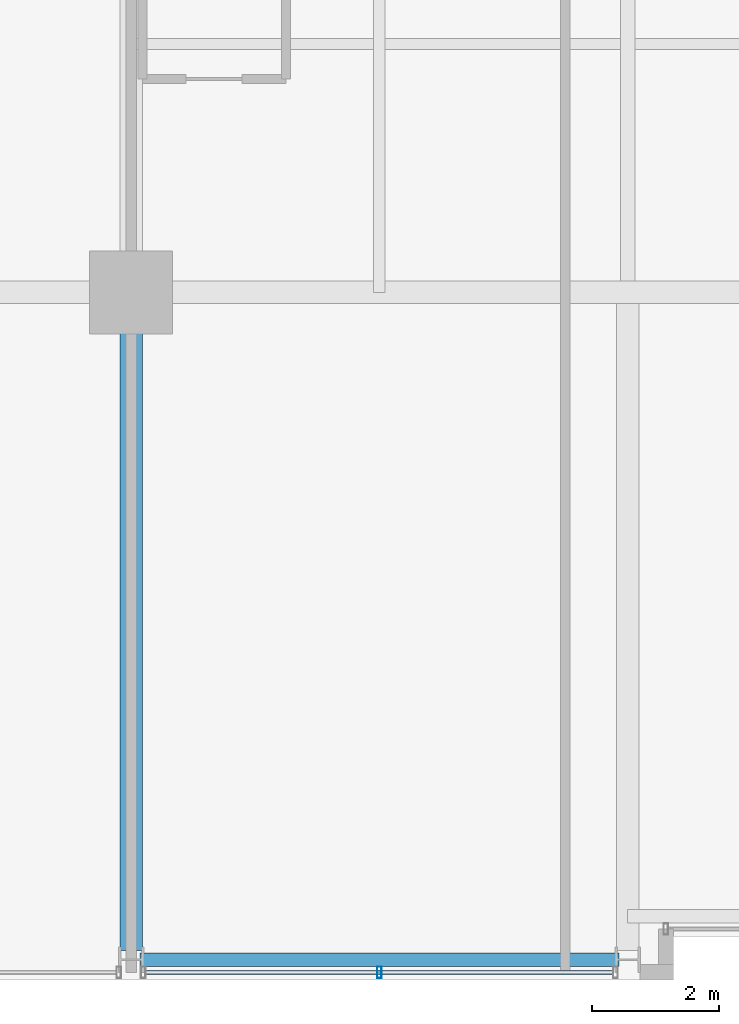
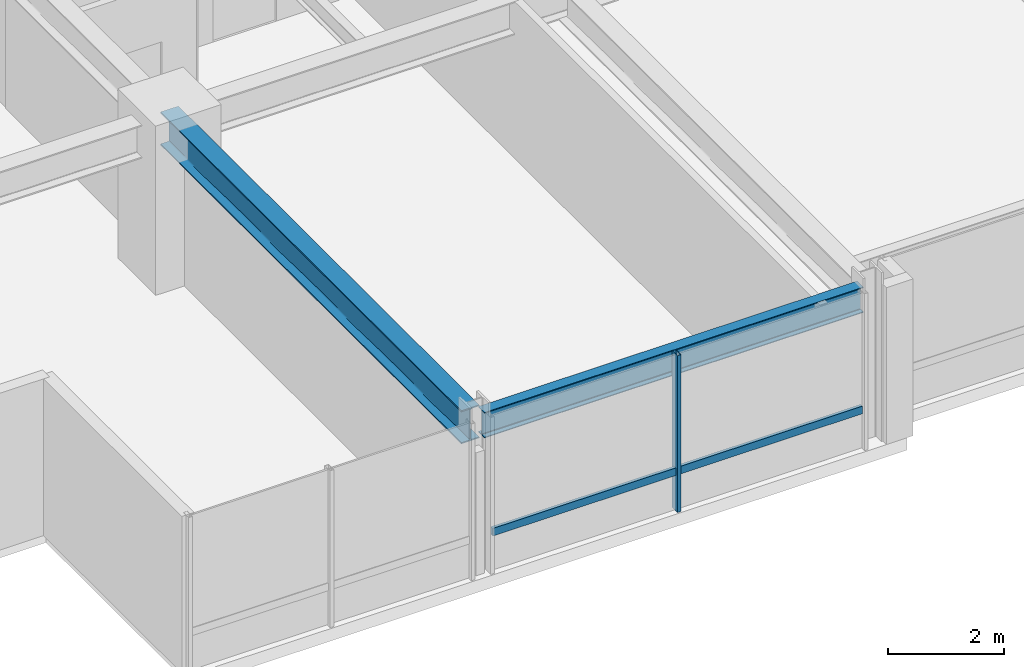
# One storey, part 3 of 31: 2 beams, 2 members, 1 element without a shape of its own.
"""IFC4 building model written with IfcOpenShell, lengths in metres."""

from ifc_helpers import new_model, si_unit, direction, frame, origin, origin_2d, place, context, subcontext, project, spatial, hollow_rectangle, i_section, extrude, material, layer, layer_set, material_profile, profile_set, type_object, element, aggregate, save


model = new_model("IFC4")

# Units and contexts
model_context = context("Model", 3, precision=1e-05, world=origin(), true_north=direction((0.0, 1.0)))
body_context = subcontext(model_context, "Body", "Model", "MODEL_VIEW")
ifc_project = project(units=[si_unit("LENGTHUNIT", "METRE"), si_unit("AREAUNIT", "SQUARE_METRE"), si_unit("VOLUMEUNIT", "CUBIC_METRE"), si_unit("PLANEANGLEUNIT", "RADIAN"), si_unit("MASSUNIT", "GRAM", prefix="KILO")], contexts=[model_context])

# Site, building, storey
site_placement = place(None, origin())
site = spatial("IfcSite", under=ifc_project, at=site_placement, CompositionType="ELEMENT")
building_placement = place(site_placement, origin())
building = spatial("IfcBuilding", under=site, at=building_placement, Name="Drelvath Grand Hotel", CompositionType="ELEMENT")
storey_placement = place(building_placement, frame((0.0, 0.0, 185.89990234375)))
storey = spatial("IfcBuildingStorey", under=building, at=storey_placement, Name="L48", CompositionType="ELEMENT", Elevation=185.89990234375)

# Curtain wall, members
ifc_material_1 = material(Name="Brushed Pale-Silver Anodised Aluminium Frame", Category="aluminium")
ifc_layer = layer(ifc_material_1, 0.199951171875)
ifc_layer_set = layer_set([ifc_layer], Name="Brushed Pale-Silver Anodised Aluminium Frame")
curtain_wall_type = type_object("IfcCurtainWallType", Name="Stick Curtain Wall CW-04 Brushed Silver Upper-Mid", PredefinedType="NOTDEFINED", material=ifc_layer_set)
curtain_wall_placement = place(storey_placement, origin())
curtain_wall = element("IfcCurtainWall", 1, at=curtain_wall_placement, inside=storey, type_object=curtain_wall_type, Name="L48 CW-04 Curtain Wall CW04-L48-SW2", PredefinedType="NOTDEFINED")
ifc_material_profile_1 = material_profile(ifc_material_1, hollow_rectangle(XDim=0.06494140625, YDim=0.159912109375, WallThickness=0.00390625, at=origin_2d()), Name="HSS160X65X4")
ifc_profile_set_1 = profile_set([ifc_material_profile_1], Name="Brushed Pale-Silver Anodised Aluminium Frame")
member_type_1 = type_object("IfcMemberType", Name="Curtain Wall Horizontal Transom CW-04 HSS160X65X4", PredefinedType="USERDEFINED", material=ifc_profile_set_1)
member_1_placement = place(storey_placement, frame((-8.631591796875, 0.1201171875, 0.822509765625), z_axis=(-1.0, 0.0, 0.0), x_axis=(0.0, -1.0, 0.0)))
member_1 = element("IfcMember", 2, at=member_1_placement, type_object=member_type_1, Name="CW04-L48-SW2 Sill Transom", ObjectType="TRANSOM", PredefinedType="USERDEFINED", context=body_context, shape_type="SweptSolid", body=[
    extrude(hollow_rectangle(XDim=0.06494140625, YDim=0.159912109375, WallThickness=0.00390625, at=origin_2d()), origin(), (0.0, 0.0, 1.0), 7.3369140625),
])
ifc_material_profile_2 = material_profile(ifc_material_1, hollow_rectangle(XDim=0.074951171875, YDim=0.179931640625, WallThickness=0.0048828125, at=origin_2d()), Name="HSS180X75X5")
ifc_profile_set_2 = profile_set([ifc_material_profile_2], Name="Brushed Pale-Silver Anodised Aluminium Frame")
member_type_2 = type_object("IfcMemberType", Name="Curtain Wall Vertical Mullion CW-04 HSS180X75X5", PredefinedType="MULLION", material=ifc_profile_set_2)
member_2_placement = place(storey_placement, frame((-12.300048828125, 0.1201171875, 0.0), z_axis=(0.0, 0.0, 1.0), x_axis=(1.0, 0.0, 0.0)))
member_2 = element("IfcMember", 3, at=member_2_placement, type_object=member_type_2, Name="CW04-L48-SW2 Mullion 2", PredefinedType="MULLION", context=body_context, shape_type="SweptSolid", body=[
    extrude(hollow_rectangle(XDim=0.074951171875, YDim=0.179931640625, WallThickness=0.0048828125, at=origin_2d()), origin(), (0.0, 0.0, 1.0), 3.2900390625),
])
aggregate(curtain_wall, [member_2, member_1])

# Beams
ifc_material_2 = material(Name="Steel ASTM A992 Gr 50", Category="steel")
ifc_material_profile_3 = material_profile(ifc_material_2, i_section(OverallWidth=0.210205078125, OverallDepth=0.53662109375, WebThickness=0.010986328125, FlangeThickness=0.017333984375, FilletRadius=0.01806640625, at=origin_2d()), Name="W21X68")
ifc_profile_set_3 = profile_set([ifc_material_profile_3], Name="Steel ASTM A992 Gr 50")
beam_type_1 = type_object("IfcBeamType", Name="Perimeter Spandrel Beam W21X68", PredefinedType="SPANDREL", material=ifc_profile_set_3)
beam_1_placement = place(storey_placement, frame((-16.06005859375, 0.320068359375, 3.021728515625), z_axis=(1.0, 0.0, 0.0), x_axis=(0.0, 1.0, 0.0)))
element("IfcBeam", 4, at=beam_1_placement, inside=storey, type_object=beam_type_1, Name="L48 Spandrel South W", PredefinedType="SPANDREL", context=body_context, shape_type="SweptSolid", body=[
    extrude(i_section(OverallWidth=0.210205078125, OverallDepth=0.53662109375, WebThickness=0.010986328125, FlangeThickness=0.017333984375, FilletRadius=0.01806640625, at=origin_2d()), origin(), (0.0, 0.0, 1.0), 7.52001953125),
])
ifc_material_profile_4 = material_profile(ifc_material_2, i_section(OverallWidth=0.354736328125, OverallDepth=0.695556640625, WebThickness=0.015380859375, FlangeThickness=0.025146484375, FilletRadius=0.02392578125, at=origin_2d()), Name="W27X146")
ifc_profile_set_4 = profile_set([ifc_material_profile_4], Name="Steel ASTM A992 Gr 50")
beam_type_2 = type_object("IfcBeamType", Name="Primary Floor Girder W27X146", PredefinedType="BEAM", material=ifc_profile_set_4)
beam_2_placement = place(storey_placement, frame((-16.199951171875, 0.4599609375, 2.9423828125), z_axis=(0.0, 1.0, 0.0), x_axis=(-1.0, 0.0, 0.0)))
element("IfcBeam", 5, at=beam_2_placement, inside=storey, type_object=beam_type_2, Name="L48 South Grid Girder 3", PredefinedType="BEAM", context=body_context, shape_type="SweptSolid", body=[
    extrude(i_section(OverallWidth=0.354736328125, OverallDepth=0.695556640625, WebThickness=0.015380859375, FlangeThickness=0.025146484375, FilletRadius=0.02392578125, at=origin_2d()), origin(), (0.0, 0.0, 1.0), 10.340087890625),
])

save(model, "model.ifc")
